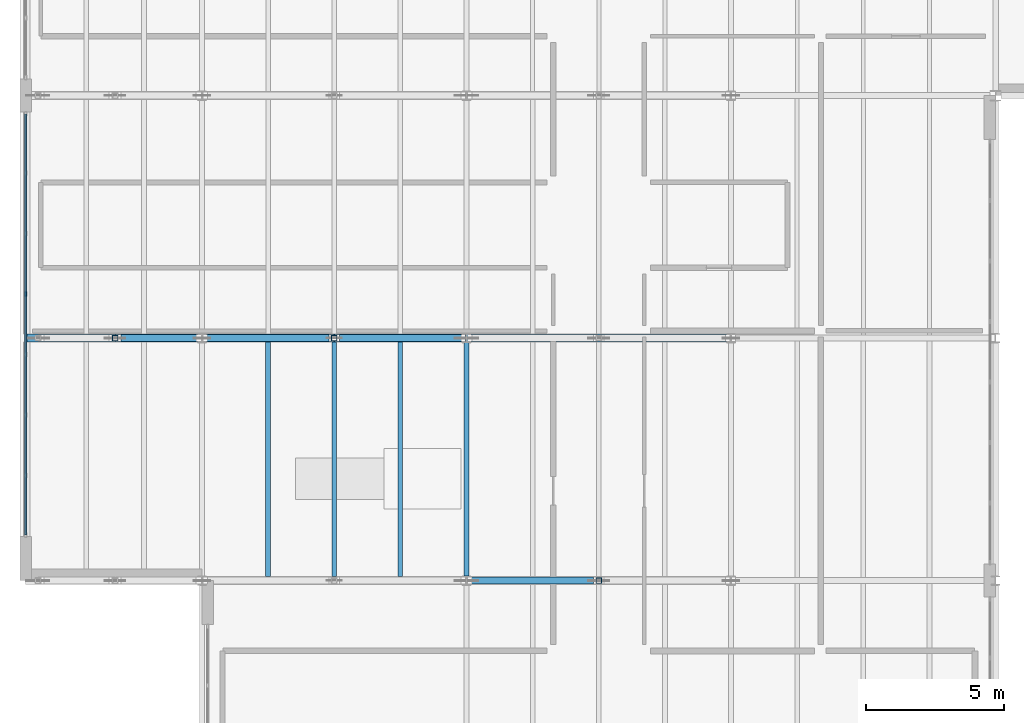
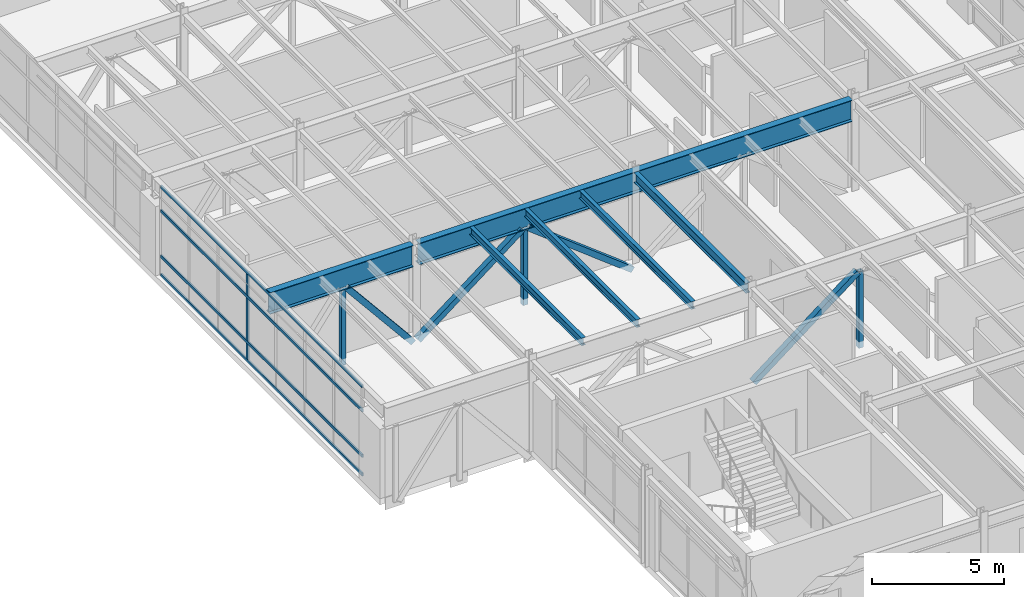
# One storey, part 21 of 88: 12 members, 6 beams, 1 element without a shape of its own.
"""IFC4 building model written with IfcOpenShell, lengths in metres."""

from ifc_helpers import new_model, si_unit, direction, frame, origin, origin_2d, place, context, subcontext, project, spatial, rectangle, hollow_rectangle, i_section, extrude, material, material_profile, profile_set, type_object, element, aggregate, save


model = new_model("IFC4")

# Units and contexts
model_context = context("Model", 3, precision=1e-05, world=origin(), true_north=direction((0.0, 1.0)))
body_context = subcontext(model_context, "Body", "Model", "MODEL_VIEW")
ifc_project = project(units=[si_unit("LENGTHUNIT", "METRE"), si_unit("AREAUNIT", "SQUARE_METRE"), si_unit("VOLUMEUNIT", "CUBIC_METRE"), si_unit("PLANEANGLEUNIT", "RADIAN"), si_unit("MASSUNIT", "GRAM", prefix="KILO")], contexts=[model_context])

# Site, building, storey
site_placement = place(None, origin())
site = spatial("IfcSite", under=ifc_project, at=site_placement, CompositionType="ELEMENT")
building_placement = place(site_placement, origin())
building = spatial("IfcBuilding", under=site, at=building_placement, Name="Sarnbrook Museum", CompositionType="ELEMENT")
storey_placement = place(building_placement, frame((0.0, 0.0, 10.10009765625)))
storey = spatial("IfcBuildingStorey", under=building, at=storey_placement, Name="L02", CompositionType="ELEMENT", Elevation=10.10009765625)

# Beam
ifc_material_1 = material(Name="Structural Steel Grade 300PLUS (AS/NZS 3679.1, fy = 280 MPa for 17 < t <= 40 mm, 300 MPa for t <= 17 mm)", Category="steel")
ifc_material_profile_1 = material_profile(ifc_material_1, i_section(OverallWidth=0.18994140625, OverallDepth=0.45703125, WebThickness=0.009033203125, FlangeThickness=0.014404296875, FilletRadius=0.011474609375, at=origin_2d()), Name="460UB74.6")
ifc_profile_set_1 = profile_set([ifc_material_profile_1], Name="Structural Steel Grade 300PLUS (AS/NZS 3679.1, fy = 280 MPa for 17 < t <= 40 mm, 300 MPa for t <= 17 mm)")
beam_type_1 = type_object("IfcBeamType", Name="BM-UB460", PredefinedType="BEAM", material=ifc_profile_set_1)
beam_1_placement = place(storey_placement, frame((23.199951171875, 56.96337890625, 3.991455078125), z_axis=(0.0, 1.0, 0.0), x_axis=(-1.0, 0.0, 0.0)))
element("IfcBeam", 1, at=beam_1_placement, inside=storey, type_object=beam_type_1, Name="Girder 3:G-H L02", PredefinedType="BEAM", context=body_context, shape_type="SweptSolid", body=[
    extrude(i_section(OverallWidth=0.18994140625, OverallDepth=0.45703125, WebThickness=0.009033203125, FlangeThickness=0.014404296875, FilletRadius=0.011474609375, at=origin_2d()), origin(), (0.0, 0.0, 1.0), 8.47314453125),
])

# Members
ifc_material_2 = material(Name="Structural Steel Hollow Section Grade C350L0 (AS/NZS 1163, fy = 350 MPa)", Category="steel")
ifc_material_profile_2 = material_profile(ifc_material_2, hollow_rectangle(XDim=0.199951171875, YDim=0.199951171875, WallThickness=0.010009765625, at=origin_2d()), Name="200x200x10.0SHS")
ifc_profile_set_2 = profile_set([ifc_material_profile_2], Name="Structural Steel Hollow Section Grade C350L0 (AS/NZS 1163, fy = 350 MPa)")
member_type_1 = type_object("IfcMemberType", Name="CH-SHS200", PredefinedType="CHORD", material=ifc_profile_set_2)
for number, where, z_axis, x_axis, name in (
    (2, (28.0, 56.800048828125, -0.300048828125), (0.0, 0.0, 1.0), (1.0, 0.0, 0.0), "Transfer Truss TT1 Web Post 1"),
    (3, (18.39990234375, 65.60009765625, -0.300048828125), (0.0, 0.0, 1.0), (1.0, 0.0, 0.0), "Transfer Truss TT2 Web Post 3"),
    (4, (10.449951171875, 65.60009765625, -0.300048828125), (0.0, 0.0, 1.0), (1.0, 0.0, 0.0), "Transfer Truss TT2 Web Post 5"),
):
    element("IfcMember", number, at=place(storey_placement, frame(where, z_axis=z_axis, x_axis=x_axis)), inside=storey, type_object=member_type_1, Name=name, PredefinedType="CHORD", context=body_context, shape_type="SweptSolid", body=[
        extrude(hollow_rectangle(XDim=0.199951171875, YDim=0.199951171875, WallThickness=0.010009765625, at=origin_2d()), origin(), (0.0, 0.0, 1.0), 3.5400390625),
    ])

# Curtain wall, members
ifc_material_3 = material(Name="Thermally Broken Anodised Aluminium 6063-T6", Category="aluminium")
curtain_wall_type = type_object("IfcCurtainWallType", Name="CurtainWall_GalleryRibbon", PredefinedType="NOTDEFINED", material=ifc_material_3)
curtain_wall_placement = place(storey_placement, origin())
curtain_wall = element("IfcCurtainWall", 5, at=curtain_wall_placement, inside=storey, type_object=curtain_wall_type, Name="Gallery Ribbon Curtain Wall L02-8.2", PredefinedType="NOTDEFINED")
ifc_material_profile_3 = material_profile(ifc_material_3, rectangle(XDim=0.06005859375, YDim=0.159912109375, at=origin_2d()), Name="ALU MULLION 60x160")
ifc_profile_set_3 = profile_set([ifc_material_profile_3], Name="Thermally Broken Anodised Aluminium 6063-T6")
member_type_2 = type_object("IfcMemberType", Name="CW_Mullion_150x65", PredefinedType="MULLION", material=ifc_profile_set_3)
member_1_placement = place(storey_placement, frame((7.2099609375, 67.197021484375, 0.0), z_axis=(0.0, 0.0, 1.0), x_axis=(1.0, 0.0, 0.0)))
member_1 = element("IfcMember", 6, at=member_1_placement, type_object=member_type_2, Name="Gallery Ribbon Curtain Wall L02-8.2 Mullion 4", PredefinedType="MULLION", context=body_context, shape_type="SweptSolid", body=[
    extrude(rectangle(XDim=0.06005859375, YDim=0.159912109375, at=origin_2d()), origin(), (0.0, 0.0, 1.0), 4.159912109375),
])
ifc_material_profile_4 = material_profile(ifc_material_3, rectangle(XDim=0.06494140625, YDim=0.139892578125, at=origin_2d()), Name="ALU TRANSOM 65x140")
ifc_profile_set_4 = profile_set([ifc_material_profile_4], Name="Thermally Broken Anodised Aluminium 6063-T6")
member_type_3 = type_object("IfcMemberType", Name="CW_Transom_150x65", PredefinedType="USERDEFINED", material=ifc_profile_set_4)
member_2_placement = place(storey_placement, frame((7.2099609375, 73.72998046875, 0.039794921875), z_axis=(0.0, -1.0, 0.0), x_axis=(1.0, 0.0, 0.0)))
member_2 = element("IfcMember", 7, at=member_2_placement, type_object=member_type_3, Name="Gallery Ribbon Curtain Wall L02-8.2 Transom 1", ObjectType="TRANSOM", PredefinedType="USERDEFINED", context=body_context, shape_type="SweptSolid", body=[
    extrude(rectangle(XDim=0.06494140625, YDim=0.139892578125, at=origin_2d()), origin(), (0.0, 0.0, 1.0), 15.260009765625),
])
member_3_placement = place(storey_placement, frame((7.2099609375, 73.72998046875, 0.89990234375), z_axis=(0.0, -1.0, 0.0), x_axis=(1.0, 0.0, 0.0)))
member_3 = element("IfcMember", 8, at=member_3_placement, type_object=member_type_3, Name="Gallery Ribbon Curtain Wall L02-8.2 Transom 2", ObjectType="TRANSOM", PredefinedType="USERDEFINED", context=body_context, shape_type="SweptSolid", body=[
    extrude(rectangle(XDim=0.06494140625, YDim=0.139892578125, at=origin_2d()), origin(), (0.0, 0.0, 1.0), 15.260009765625),
])
member_4_placement = place(storey_placement, frame((7.2099609375, 73.72998046875, 3.0), z_axis=(0.0, -1.0, 0.0), x_axis=(1.0, 0.0, 0.0)))
member_4 = element("IfcMember", 9, at=member_4_placement, type_object=member_type_3, Name="Gallery Ribbon Curtain Wall L02-8.2 Transom 3", ObjectType="TRANSOM", PredefinedType="USERDEFINED", context=body_context, shape_type="SweptSolid", body=[
    extrude(rectangle(XDim=0.06494140625, YDim=0.139892578125, at=origin_2d()), origin(), (0.0, 0.0, 1.0), 15.260009765625),
])
member_5_placement = place(storey_placement, frame((7.2099609375, 73.72998046875, 4.119873046875), z_axis=(0.0, -1.0, 0.0), x_axis=(1.0, 0.0, 0.0)))
member_5 = element("IfcMember", 10, at=member_5_placement, type_object=member_type_3, Name="Gallery Ribbon Curtain Wall L02-8.2 Transom 4", ObjectType="TRANSOM", PredefinedType="USERDEFINED", context=body_context, shape_type="SweptSolid", body=[
    extrude(rectangle(XDim=0.06494140625, YDim=0.139892578125, at=origin_2d()), origin(), (0.0, 0.0, 1.0), 15.260009765625),
])
aggregate(curtain_wall, [member_1, member_2, member_3, member_4, member_5])

# Beams
ifc_material_profile_5 = material_profile(ifc_material_1, i_section(OverallWidth=0.1708984375, OverallDepth=0.35595703125, WebThickness=0.00732421875, FlangeThickness=0.011474609375, FilletRadius=0.011474609375, at=origin_2d()), Name="360UB50.7")
ifc_profile_set_5 = profile_set([ifc_material_profile_5], Name="Structural Steel Grade 300PLUS (AS/NZS 3679.1, fy = 280 MPa for 17 < t <= 40 mm, 300 MPa for t <= 17 mm)")
beam_type_2 = type_object("IfcBeamType", Name="JS-UB360", PredefinedType="JOIST", material=ifc_profile_set_5)
for number, where, z_axis, x_axis, name in (
    (11, (16.0, 56.949951171875, 4.0419921875), (0.0, 1.0, 0.0), (-1.0, 0.0, 0.0), "Composite Floor Joist 2G-1 L02"),
    (12, (18.39990234375, 56.949951171875, 4.0419921875), (0.0, 1.0, 0.0), (-1.0, 0.0, 0.0), "Composite Floor Joist 2G-2 L02"),
    (13, (20.800048828125, 56.949951171875, 4.0419921875), (0.0, 1.0, 0.0), (-1.0, 0.0, 0.0), "Composite Floor Joist 2G-3 L02"),
):
    element("IfcBeam", number, at=place(storey_placement, frame(where, z_axis=z_axis, x_axis=x_axis)), inside=storey, type_object=beam_type_2, Name=name, PredefinedType="JOIST", context=body_context, shape_type="SweptSolid", body=[
        extrude(i_section(OverallWidth=0.1708984375, OverallDepth=0.35595703125, WebThickness=0.00732421875, FlangeThickness=0.011474609375, FilletRadius=0.011474609375, at=origin_2d()), origin(), (0.0, 0.0, 1.0), 8.5),
    ])

# Members
ifc_material_profile_6 = material_profile(ifc_material_2, hollow_rectangle(XDim=0.25, YDim=0.25, WallThickness=0.012451171875, at=origin_2d()), Name="250x250x12.5SHS")
ifc_profile_set_6 = profile_set([ifc_material_profile_6], Name="Structural Steel Hollow Section Grade C350L0 (AS/NZS 1163, fy = 350 MPa)")
member_type_4 = type_object("IfcMemberType", Name="MB-SHS250", PredefinedType="BRACE", material=ifc_profile_set_6)
member_6_placement = place(storey_placement, frame((27.8798828125, 56.800048828125, 3.239990234375), z_axis=(-0.789896178553, 0.0, -0.613240594797), x_axis=(0.0, -1.0, 0.0)))
element("IfcMember", 14, at=member_6_placement, inside=storey, type_object=member_type_4, Name="Transfer Truss TT1 Web Diagonal 2", PredefinedType="BRACE", context=body_context, shape_type="SweptSolid", body=[
    extrude(hollow_rectangle(XDim=0.25, YDim=0.25, WallThickness=0.012451171875, at=origin_2d()), origin(), (0.0, 0.0, 1.0), 5.772705078125),
])
for number, where, z_axis, x_axis, name in (
    (15, (23.080078125, 65.60009765625, -0.300048828125), (-0.789912082427, 0.0, 0.613220108962), (0.0, -1.0, 0.0), "Transfer Truss TT2 Web Diagonal 3"),
    (16, (18.280029296875, 65.60009765625, 3.239990234375), (-0.789912082427, 0.0, -0.613220108962), (0.0, -1.0, 0.0), "Transfer Truss TT2 Web Diagonal 4"),
):
    element("IfcMember", number, at=place(storey_placement, frame(where, z_axis=z_axis, x_axis=x_axis)), inside=storey, type_object=member_type_4, Name=name, PredefinedType="BRACE", context=body_context, shape_type="SweptSolid", body=[
        extrude(hollow_rectangle(XDim=0.25, YDim=0.25, WallThickness=0.012451171875, at=origin_2d()), origin(), (0.0, 0.0, 1.0), 5.77294921875),
    ])
member_7_placement = place(storey_placement, frame((13.47998046875, 65.60009765625, -0.300048828125), z_axis=(-0.635002969329, 0.0, 0.772509695048), x_axis=(0.0, -1.0, 0.0)))
element("IfcMember", 17, at=member_7_placement, inside=storey, type_object=member_type_4, Name="Transfer Truss TT2 Web Diagonal 5", PredefinedType="BRACE", context=body_context, shape_type="SweptSolid", body=[
    extrude(hollow_rectangle(XDim=0.25, YDim=0.25, WallThickness=0.012451171875, at=origin_2d()), origin(), (0.0, 0.0, 1.0), 4.58251953125),
])

# Beams
ifc_material_4 = material(Name="Structural Steel Grade 350L0 (AS/NZS 3678, fy = 340 MPa for 20 < t <= 40 mm)", Category="steel")
ifc_material_profile_7 = material_profile(ifc_material_4, i_section(OverallWidth=0.300048828125, OverallDepth=1.0, WebThickness=0.01611328125, FlangeThickness=0.02490234375, at=origin_2d()), Name="1000WB215")
ifc_profile_set_7 = profile_set([ifc_material_profile_7], Name="Structural Steel Grade 350L0 (AS/NZS 3678, fy = 340 MPa for 20 < t <= 40 mm)")
beam_type_3 = type_object("IfcBeamType", Name="TT-CHORD", PredefinedType="BEAM", material=ifc_profile_set_7)
beam_2_placement = place(storey_placement, frame((32.679931640625, 65.60009765625, 3.719970703125), z_axis=(-1.0, 0.0, 0.0), x_axis=(0.0, -1.0, 0.0)))
element("IfcBeam", 18, at=beam_2_placement, inside=storey, type_object=beam_type_3, Name="Cantilever Transfer Truss TT2 Top Back-Span Chord", PredefinedType="BEAM", context=body_context, shape_type="SweptSolid", body=[
    extrude(i_section(OverallWidth=0.300048828125, OverallDepth=1.0, WebThickness=0.01611328125, FlangeThickness=0.02490234375, at=origin_2d()), origin(), (0.0, 0.0, 1.0), 18.9599609375),
])
beam_3_placement = place(storey_placement, frame((13.47998046875, 65.60009765625, 3.719970703125), z_axis=(-1.0, 0.0, 0.0), x_axis=(0.0, -1.0, 0.0)))
element("IfcBeam", 19, at=beam_3_placement, inside=storey, type_object=beam_type_3, Name="Cantilever Transfer Truss TT2 Top Chord", PredefinedType="BEAM", context=body_context, shape_type="SweptSolid", body=[
    extrude(i_section(OverallWidth=0.300048828125, OverallDepth=1.0, WebThickness=0.01611328125, FlangeThickness=0.02490234375, at=origin_2d()), origin(), (0.0, 0.0, 1.0), 6.280029296875),
])

save(model, "model.ifc")
